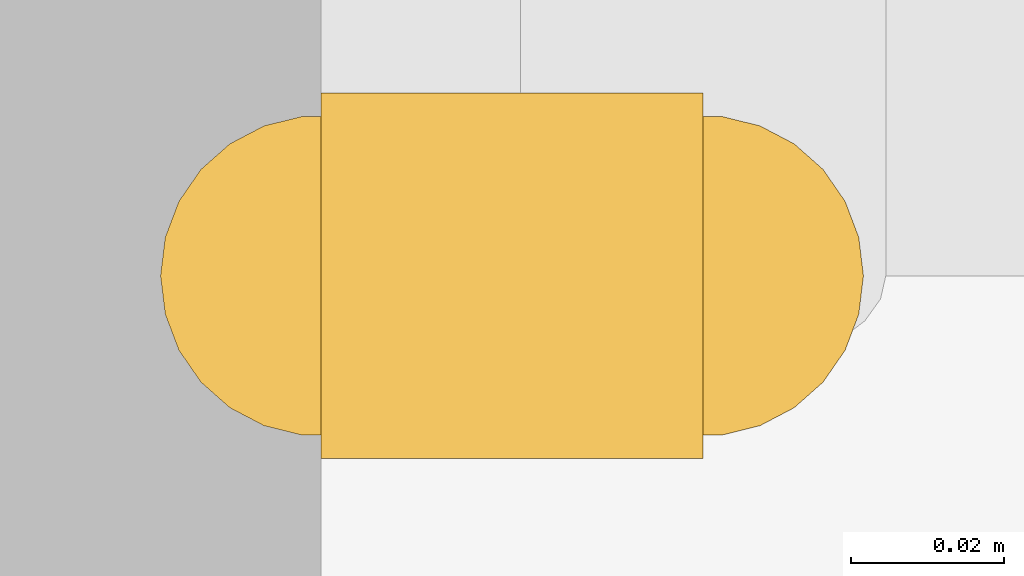
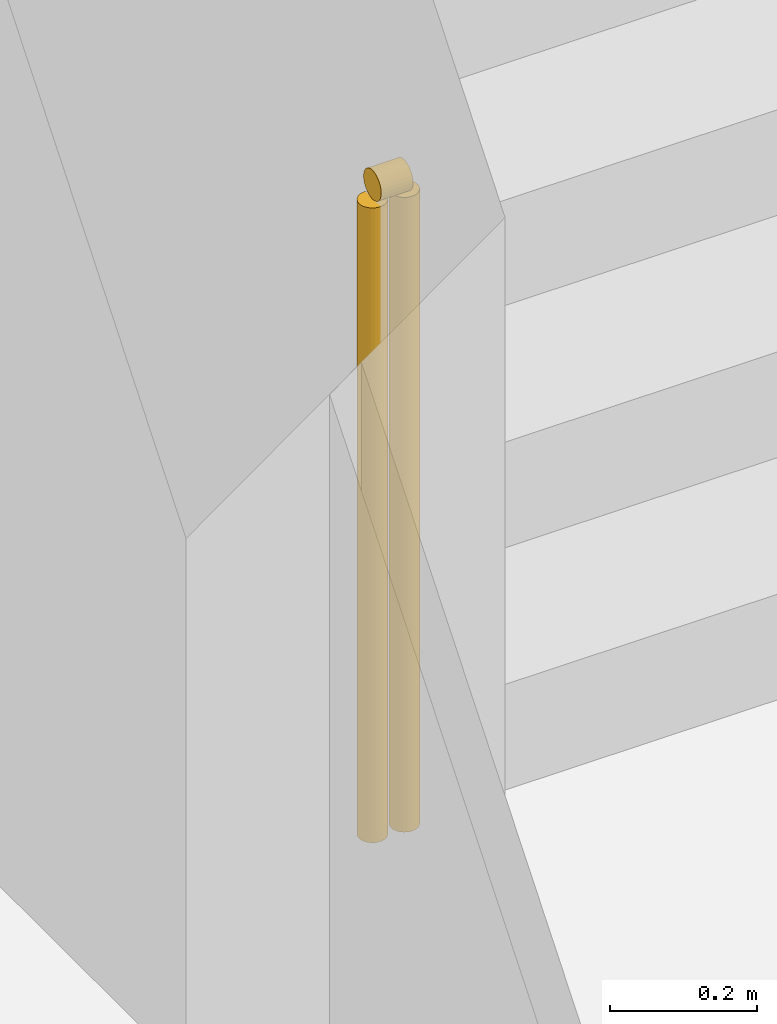
# One storey, part 13 of 15: 1 railing.
"""IFC4 building model written with IfcOpenShell, lengths in metres."""

from ifc_helpers import new_model, si_unit, direction, frame, origin, origin_2d, place, context, subcontext, project, spatial, circle, extrude, material, type_object, element, save


model = new_model("IFC4")

# Units and contexts
model_context = context("Model", 3, precision=1e-05, world=origin(), true_north=direction((0.0, 1.0)))
body_context = subcontext(model_context, "Body", "Model", "MODEL_VIEW")
ifc_project = project(units=[si_unit("LENGTHUNIT", "METRE"), si_unit("AREAUNIT", "SQUARE_METRE"), si_unit("VOLUMEUNIT", "CUBIC_METRE"), si_unit("PLANEANGLEUNIT", "RADIAN"), si_unit("MASSUNIT", "GRAM", prefix="KILO")], contexts=[model_context])

# Site, building, storey
site_placement = place(None, origin())
site = spatial("IfcSite", under=ifc_project, at=site_placement, CompositionType="ELEMENT")
building_placement = place(site_placement, origin())
building = spatial("IfcBuilding", under=site, at=building_placement, Name="Aurelan Courthouse", CompositionType="ELEMENT")
storey_placement = place(building_placement, frame((0.0, 0.0, -8.39990234375)))
storey = spatial("IfcBuildingStorey", under=building, at=storey_placement, Name="B2", CompositionType="ELEMENT", Elevation=-8.39990234375)

# Railing
ifc_material = material(Name="Steel S355", Category="steel")
railing_type = type_object("IfcRailingType", Name="Stair guard 1100", PredefinedType="GUARDRAIL", material=ifc_material)
railing_placement = place(storey_placement, frame((85.800048828125, 58.9599609375, 0.0)))
element("IfcRailing", 1, at=railing_placement, inside=storey, type_object=railing_type, Name="Guard ST-3B-B2-H1-C", PredefinedType="GUARDRAIL", context=body_context, shape_type="SweptSolid", body=[
    extrude(circle(Radius=0.02392578125, at=origin_2d()), frame((0.0, 0.0, 1.076171875), z_axis=(-1.0, 0.0, 0.0), x_axis=(0.0, -1.0, 0.0)), (0.0, 0.0, 1.0), 0.050048828125),
    extrude(circle(Radius=0.02099609375, at=origin_2d()), origin(), (0.0, 0.0, 1.0), 1.052001953125),
    extrude(circle(Radius=0.02099609375, at=origin_2d()), frame((-0.050048828125, 0.0, 0.0)), (0.0, 0.0, 1.0), 1.052001953125),
])

save(model, "model.ifc")
